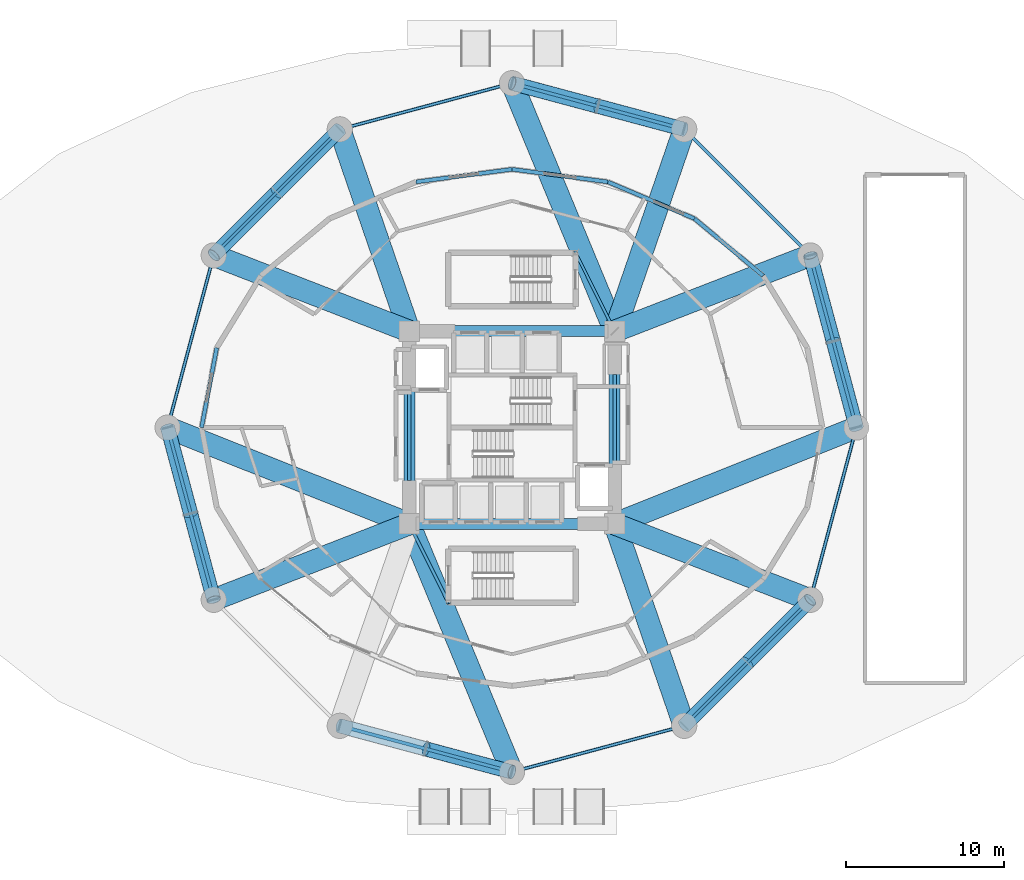
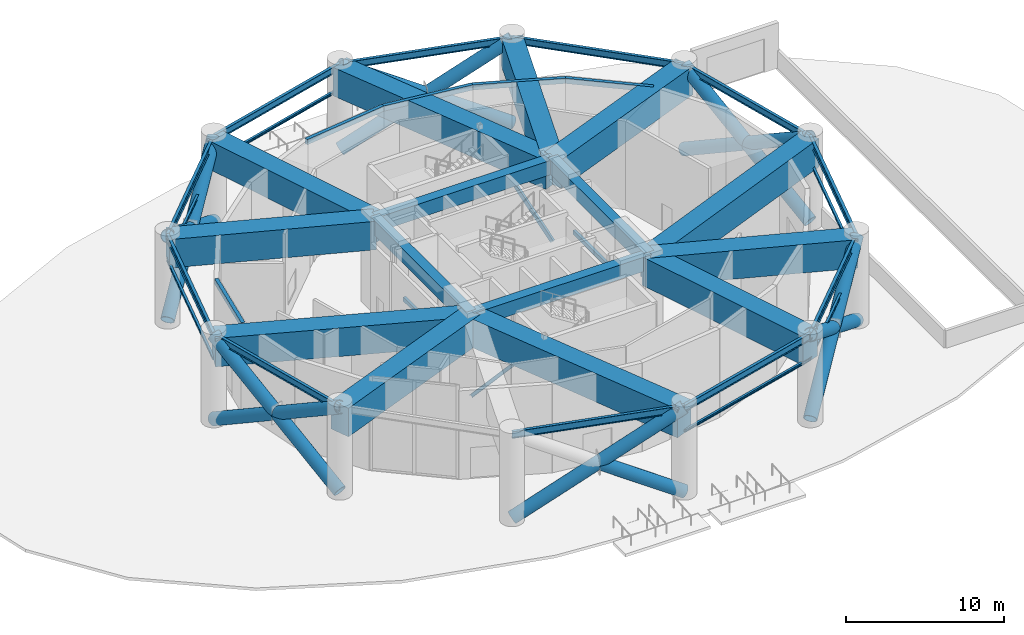
# One storey, part 5 of 16: 33 beams, 25 members.
"""IFC4 building model written with IfcOpenShell, lengths in metres."""

from ifc_helpers import new_model, si_unit, direction, frame, origin, origin_2d, place, context, subcontext, project, spatial, rectangle, hollow_rectangle, hollow_circle, i_section, extrude, material, material_profile, profile_set, type_object, element, save


model = new_model("IFC4")

# Units and contexts
model_context = context("Model", 3, precision=1e-05, world=origin(), true_north=direction((0.0, 1.0)))
body_context = subcontext(model_context, "Body", "Model", "MODEL_VIEW")
ifc_project = project(units=[si_unit("LENGTHUNIT", "METRE"), si_unit("AREAUNIT", "SQUARE_METRE"), si_unit("VOLUMEUNIT", "CUBIC_METRE"), si_unit("PLANEANGLEUNIT", "RADIAN"), si_unit("MASSUNIT", "GRAM", prefix="KILO")], contexts=[model_context])

# Site, building, storey
site_placement = place(None, origin())
site = spatial("IfcSite", under=ifc_project, at=site_placement, CompositionType="ELEMENT")
building_placement = place(site_placement, origin())
building = spatial("IfcBuilding", under=site, at=building_placement, Name="Solvirekh Grand Hotel", CompositionType="ELEMENT")
storey_placement = place(building_placement, origin())
storey = spatial("IfcBuildingStorey", under=building, at=storey_placement, Name="L00", CompositionType="ELEMENT", Elevation=0.0)

# Beams
ifc_material_1 = material(Name="Concrete C60/75", Category="concrete")
ifc_material_profile_1 = material_profile(ifc_material_1, rectangle(XDim=0.699951171875, YDim=1.10009765625, at=origin_2d()), Name="RC BEAM 700X1100")
ifc_profile_set_1 = profile_set([ifc_material_profile_1], Name="Concrete C60/75")
beam_type_1 = type_object("IfcBeamType", Name="Beam_Core_RC1100", PredefinedType="BEAM", material=ifc_profile_set_1)
beam_1_placement = place(storey_placement, frame((-6.5, -6.10009765625, 6.2900390625), z_axis=(1.0, 0.0, 0.0), x_axis=(0.0, 1.0, 0.0)))
element("IfcBeam", 1, at=beam_1_placement, inside=storey, type_object=beam_type_1, Name="L00 core coupling ring beam 1", PredefinedType="BEAM", context=body_context, shape_type="SweptSolid", body=[
    extrude(rectangle(XDim=0.699951171875, YDim=1.10009765625, at=origin_2d()), origin(), (0.0, 0.0, 1.0), 13.0),
])
beam_2_placement = place(storey_placement, frame((6.5, -6.10009765625, 6.2900390625), z_axis=(0.0, 1.0, 0.0), x_axis=(-1.0, 0.0, 0.0)))
element("IfcBeam", 2, at=beam_2_placement, inside=storey, type_object=beam_type_1, Name="L00 core coupling ring beam 2", PredefinedType="BEAM", context=body_context, shape_type="SweptSolid", body=[
    extrude(rectangle(XDim=0.699951171875, YDim=1.10009765625, at=origin_2d()), origin(), (0.0, 0.0, 1.0), 12.2001953125),
])
beam_3_placement = place(storey_placement, frame((6.5, 6.10009765625, 6.2900390625), z_axis=(-1.0, 0.0, 0.0), x_axis=(0.0, -1.0, 0.0)))
element("IfcBeam", 3, at=beam_3_placement, inside=storey, type_object=beam_type_1, Name="L00 core coupling ring beam 3", PredefinedType="BEAM", context=body_context, shape_type="SweptSolid", body=[
    extrude(rectangle(XDim=0.699951171875, YDim=1.10009765625, at=origin_2d()), origin(), (0.0, 0.0, 1.0), 13.0),
])
beam_4_placement = place(storey_placement, frame((-6.5, 6.10009765625, 6.2900390625), z_axis=(0.0, -1.0, 0.0), x_axis=(1.0, 0.0, 0.0)))
element("IfcBeam", 4, at=beam_4_placement, inside=storey, type_object=beam_type_1, Name="L00 core coupling ring beam 4", PredefinedType="BEAM", context=body_context, shape_type="SweptSolid", body=[
    extrude(rectangle(XDim=0.699951171875, YDim=1.10009765625, at=origin_2d()), origin(), (0.0, 0.0, 1.0), 12.2001953125),
])

# Members
ifc_material_2 = material(Name="Steel S460", Category="steel")
ifc_material_profile_2 = material_profile(ifc_material_2, hollow_circle(Radius=0.45703125, WallThickness=0.031982421875, at=origin_2d()), Name="CHS 914X32")
ifc_profile_set_2 = profile_set([ifc_material_profile_2], Name="Steel S460")
member_type_1 = type_object("IfcMemberType", Name="Brace_Stilt_CHS914", PredefinedType="BRACE", material=ifc_profile_set_2)
member_1_placement = place(storey_placement, frame((21.800048828125, 0.0, 0.14990234375), z_axis=(-0.224311440733, 0.836991941742, 0.499128106817), x_axis=(-0.965914248703, -0.258862249378, 0.0)))
element("IfcMember", 5, at=member_1_placement, inside=storey, type_object=member_type_1, Name="L00 Constructivist continuous X-brace diagonal 1A", PredefinedType="BRACE", context=body_context, shape_type="SweptSolid", body=[
    extrude(hollow_circle(Radius=0.45703125, WallThickness=0.031982421875, at=origin_2d()), origin(), (0.0, 0.0, 1.0), 13.022705078125),
])
member_2_placement = place(storey_placement, frame((18.87890625, 10.89990234375, 0.14990234375), z_axis=(0.224400458013, -0.836974339887, 0.499117610203), x_axis=(0.965887196303, 0.258963171163, 0.0)))
element("IfcMember", 6, at=member_2_placement, inside=storey, type_object=member_type_1, Name="L00 Constructivist split lower X-brace diagonal 1B1", PredefinedType="BRACE", context=body_context, shape_type="SweptSolid", body=[
    extrude(hollow_circle(Radius=0.45703125, WallThickness=0.031982421875, at=origin_2d()), origin(), (0.0, 0.0, 1.0), 6.511474609375),
])
member_3_placement = place(storey_placement, frame((20.340087890625, 5.449951171875, 3.39990234375), z_axis=(0.224222417837, -0.837009537354, 0.499138599707), x_axis=(0.965941292072, 0.258761319114, 0.0)))
element("IfcMember", 7, at=member_3_placement, inside=storey, type_object=member_type_1, Name="L00 Constructivist split upper X-brace diagonal 1B2", PredefinedType="BRACE", context=body_context, shape_type="SweptSolid", body=[
    extrude(hollow_circle(Radius=0.45703125, WallThickness=0.031982421875, at=origin_2d()), origin(), (0.0, 0.0, 1.0), 6.51123046875),
])
member_4_placement = place(storey_placement, frame((10.89990234375, 18.87890625, 0.14990234375), z_axis=(-0.836991941742, 0.224311440733, 0.499128106817), x_axis=(-0.258862249378, -0.965914248703, 0.0)))
element("IfcMember", 8, at=member_4_placement, inside=storey, type_object=member_type_1, Name="L00 Constructivist continuous X-brace diagonal 3A", PredefinedType="BRACE", context=body_context, shape_type="SweptSolid", body=[
    extrude(hollow_circle(Radius=0.45703125, WallThickness=0.031982421875, at=origin_2d()), origin(), (0.0, 0.0, 1.0), 13.022705078125),
])
member_5_placement = place(storey_placement, frame((0.0, 21.800048828125, 0.14990234375), z_axis=(0.837009537354, -0.224222417837, 0.499138599707), x_axis=(0.258761319114, 0.965941292072, 0.0)))
element("IfcMember", 9, at=member_5_placement, inside=storey, type_object=member_type_1, Name="L00 Constructivist split lower X-brace diagonal 3B1", PredefinedType="BRACE", context=body_context, shape_type="SweptSolid", body=[
    extrude(hollow_circle(Radius=0.45703125, WallThickness=0.031982421875, at=origin_2d()), origin(), (0.0, 0.0, 1.0), 6.51123046875),
])
member_6_placement = place(storey_placement, frame((5.449951171875, 20.340087890625, 3.39990234375), z_axis=(0.836974339887, -0.224400458013, 0.499117610203), x_axis=(0.258963171163, 0.965887196303, 0.0)))
element("IfcMember", 10, at=member_6_placement, inside=storey, type_object=member_type_1, Name="L00 Constructivist split upper X-brace diagonal 3B2", PredefinedType="BRACE", context=body_context, shape_type="SweptSolid", body=[
    extrude(hollow_circle(Radius=0.45703125, WallThickness=0.031982421875, at=origin_2d()), origin(), (0.0, 0.0, 1.0), 6.511474609375),
])
member_7_placement = place(storey_placement, frame((-10.89990234375, 18.87890625, 0.14990234375), z_axis=(-0.612720815, -0.612720815, 0.499145675863), x_axis=(0.707106781187, -0.707106781187, 0.0)))
element("IfcMember", 11, at=member_7_placement, inside=storey, type_object=member_type_1, Name="L00 Constructivist continuous X-brace diagonal 5A", PredefinedType="BRACE", context=body_context, shape_type="SweptSolid", body=[
    extrude(hollow_circle(Radius=0.45703125, WallThickness=0.031982421875, at=origin_2d()), origin(), (0.0, 0.0, 1.0), 13.022216796875),
])
for number, where, z_axis, x_axis, name in (
    (12, (-18.87890625, 10.89990234375, 0.14990234375), (0.612645819716, 0.612795803392, 0.499145673056), (-0.707193319771, 0.70702023201, 0.0), "L00 Constructivist split lower X-brace diagonal 5B1"),
    (13, (-14.889892578125, 14.889892578125, 3.39990234375), (0.612795803392, 0.612645819716, 0.499145673056), (-0.70702023201, 0.707193319771, 0.0), "L00 Constructivist split upper X-brace diagonal 5B2"),
):
    element("IfcMember", number, at=place(storey_placement, frame(where, z_axis=z_axis, x_axis=x_axis)), inside=storey, type_object=member_type_1, Name=name, PredefinedType="BRACE", context=body_context, shape_type="SweptSolid", body=[
        extrude(hollow_circle(Radius=0.45703125, WallThickness=0.031982421875, at=origin_2d()), origin(), (0.0, 0.0, 1.0), 6.51123046875),
    ])
member_8_placement = place(storey_placement, frame((-21.800048828125, 0.0, 0.14990234375), z_axis=(0.224311440733, -0.836991941742, 0.499128106817), x_axis=(0.965914248703, 0.258862249378, 0.0)))
element("IfcMember", 14, at=member_8_placement, inside=storey, type_object=member_type_1, Name="L00 Constructivist continuous X-brace diagonal 7A", PredefinedType="BRACE", context=body_context, shape_type="SweptSolid", body=[
    extrude(hollow_circle(Radius=0.45703125, WallThickness=0.031982421875, at=origin_2d()), origin(), (0.0, 0.0, 1.0), 13.022705078125),
])
member_9_placement = place(storey_placement, frame((-18.87890625, -10.89990234375, 0.14990234375), z_axis=(-0.224400458013, 0.836974339887, 0.499117610203), x_axis=(-0.965887196303, -0.258963171163, 0.0)))
element("IfcMember", 15, at=member_9_placement, inside=storey, type_object=member_type_1, Name="L00 Constructivist split lower X-brace diagonal 7B1", PredefinedType="BRACE", context=body_context, shape_type="SweptSolid", body=[
    extrude(hollow_circle(Radius=0.45703125, WallThickness=0.031982421875, at=origin_2d()), origin(), (0.0, 0.0, 1.0), 6.511474609375),
])
member_10_placement = place(storey_placement, frame((-20.340087890625, -5.449951171875, 3.39990234375), z_axis=(-0.224222417837, 0.837009537354, 0.499138599707), x_axis=(-0.965941292072, -0.258761319114, 0.0)))
element("IfcMember", 16, at=member_10_placement, inside=storey, type_object=member_type_1, Name="L00 Constructivist split upper X-brace diagonal 7B2", PredefinedType="BRACE", context=body_context, shape_type="SweptSolid", body=[
    extrude(hollow_circle(Radius=0.45703125, WallThickness=0.031982421875, at=origin_2d()), origin(), (0.0, 0.0, 1.0), 6.51123046875),
])
member_11_placement = place(storey_placement, frame((-10.89990234375, -18.87890625, 0.14990234375), z_axis=(0.836991941742, -0.224311440733, 0.499128106817), x_axis=(0.258862249378, 0.965914248703, 0.0)))
element("IfcMember", 17, at=member_11_placement, inside=storey, type_object=member_type_1, Name="L00 Constructivist continuous X-brace diagonal 9A", PredefinedType="BRACE", context=body_context, shape_type="SweptSolid", body=[
    extrude(hollow_circle(Radius=0.45703125, WallThickness=0.031982421875, at=origin_2d()), origin(), (0.0, 0.0, 1.0), 13.022705078125),
])
member_12_placement = place(storey_placement, frame((0.0, -21.800048828125, 0.14990234375), z_axis=(-0.837009537354, 0.224222417837, 0.499138599707), x_axis=(-0.258761319114, -0.965941292072, 0.0)))
element("IfcMember", 18, at=member_12_placement, inside=storey, type_object=member_type_1, Name="L00 Constructivist split lower X-brace diagonal 9B1", PredefinedType="BRACE", context=body_context, shape_type="SweptSolid", body=[
    extrude(hollow_circle(Radius=0.45703125, WallThickness=0.031982421875, at=origin_2d()), origin(), (0.0, 0.0, 1.0), 6.51123046875),
])
member_13_placement = place(storey_placement, frame((10.89990234375, -18.87890625, 0.14990234375), z_axis=(0.612720815, 0.612720815, 0.499145675863), x_axis=(-0.707106781187, 0.707106781187, 0.0)))
element("IfcMember", 19, at=member_13_placement, inside=storey, type_object=member_type_1, Name="L00 Constructivist continuous X-brace diagonal 11A", PredefinedType="BRACE", context=body_context, shape_type="SweptSolid", body=[
    extrude(hollow_circle(Radius=0.45703125, WallThickness=0.031982421875, at=origin_2d()), origin(), (0.0, 0.0, 1.0), 13.022216796875),
])
for number, where, z_axis, x_axis, name in (
    (20, (18.87890625, -10.89990234375, 0.14990234375), (-0.612645819716, -0.612795803392, 0.499145673056), (0.707193319771, -0.70702023201, 0.0), "L00 Constructivist split lower X-brace diagonal 11B1"),
    (21, (14.889892578125, -14.889892578125, 3.39990234375), (-0.612795803392, -0.612645819716, 0.499145673056), (0.70702023201, -0.707193319771, 0.0), "L00 Constructivist split upper X-brace diagonal 11B2"),
):
    element("IfcMember", number, at=place(storey_placement, frame(where, z_axis=z_axis, x_axis=x_axis)), inside=storey, type_object=member_type_1, Name=name, PredefinedType="BRACE", context=body_context, shape_type="SweptSolid", body=[
        extrude(hollow_circle(Radius=0.45703125, WallThickness=0.031982421875, at=origin_2d()), origin(), (0.0, 0.0, 1.0), 6.51123046875),
    ])

# Beams
ifc_material_3 = material(Name="Precast concrete C45/55", Category="concrete")
ifc_material_profile_3 = material_profile(ifc_material_3, rectangle(XDim=0.199951171875, YDim=0.320068359375, at=origin_2d()), Name="RC LINTEL 200X320")
ifc_profile_set_3 = profile_set([ifc_material_profile_3], Name="Precast concrete C45/55")
beam_type_2 = type_object("IfcBeamType", Name="Lintel_RC320", PredefinedType="LINTEL", material=ifc_profile_set_3)
for number, where, z_axis, x_axis, name in (
    (22, (-6.5, -3.35009765625, 2.64990234375), (0.0, 1.0, 0.0), (-1.0, 0.0, 0.0), "L00 west core lobby RC lintel"),
    (23, (6.5, -2.35009765625, 2.64990234375), (0.0, 1.0, 0.0), (-1.0, 0.0, 0.0), "L00 east core lobby RC lintel"),
):
    element("IfcBeam", number, at=place(storey_placement, frame(where, z_axis=z_axis, x_axis=x_axis)), inside=storey, type_object=beam_type_2, Name=name, PredefinedType="LINTEL", context=body_context, shape_type="SweptSolid", body=[
        extrude(rectangle(XDim=0.199951171875, YDim=0.320068359375, at=origin_2d()), origin(), (0.0, 0.0, 1.0), 5.7001953125),
    ])
ifc_material_profile_4 = material_profile(ifc_material_3, rectangle(XDim=0.25, YDim=0.39990234375, at=origin_2d()), Name="RC LINTEL 250X400")
ifc_profile_set_4 = profile_set([ifc_material_profile_4], Name="Precast concrete C45/55")
beam_type_3 = type_object("IfcBeamType", Name="Lintel_RC400", PredefinedType="LINTEL", material=ifc_profile_set_4)
beam_5_placement = place(storey_placement, frame((11.550048828125, 13.22705078125, 6.639892578125), z_axis=(0.768698801906, -0.639610937952, 0.0), x_axis=(0.639610937952, 0.768698801906, 0.0)))
element("IfcBeam", 24, at=beam_5_placement, inside=storey, type_object=beam_type_3, Name="L00 exterior lobby portal precast lintel 1", PredefinedType="LINTEL", context=body_context, shape_type="SweptSolid", body=[
    extrude(rectangle(XDim=0.25, YDim=0.39990234375, at=origin_2d()), origin(), (0.0, 0.0, 1.0), 5.655029296875),
])
beam_6_placement = place(storey_placement, frame((6.072021484375, 15.550048828125, 6.639892578125), z_axis=(0.920643013012, -0.390405484839, 0.0), x_axis=(0.390405484839, 0.920643013012, 0.0)))
element("IfcBeam", 25, at=beam_6_placement, inside=storey, type_object=beam_type_3, Name="L00 exterior lobby portal precast lintel 2", PredefinedType="LINTEL", context=body_context, shape_type="SweptSolid", body=[
    extrude(rectangle(XDim=0.25, YDim=0.39990234375, at=origin_2d()), origin(), (0.0, 0.0, 1.0), 5.9501953125),
])
for number, where, z_axis, x_axis, name in (
    (26, (0.0, 16.35009765625, 6.639892578125), (0.991431078494, -0.130630840908, 0.0), (0.130630840908, 0.991431078494, 0.0), "L00 exterior lobby portal precast lintel 3"),
    (27, (-6.072021484375, 15.550048828125, 6.639892578125), (0.991431078494, 0.130630840908, 0.0), (-0.130630840908, 0.991431078494, 0.0), "L00 exterior lobby portal precast lintel 4"),
):
    element("IfcBeam", number, at=place(storey_placement, frame(where, z_axis=z_axis, x_axis=x_axis)), inside=storey, type_object=beam_type_3, Name=name, PredefinedType="LINTEL", context=body_context, shape_type="SweptSolid", body=[
        extrude(rectangle(XDim=0.25, YDim=0.39990234375, at=origin_2d()), origin(), (0.0, 0.0, 1.0), 6.12451171875),
    ])
beam_7_placement = place(storey_placement, frame((-19.64990234375, 0.0, 6.639892578125), z_axis=(0.187042300785, 0.982351860444, 0.0), x_axis=(-0.982351860444, 0.187042300785, 0.0)))
element("IfcBeam", 28, at=beam_7_placement, inside=storey, type_object=beam_type_3, Name="L00 exterior lobby portal precast lintel 5", PredefinedType="LINTEL", context=body_context, shape_type="SweptSolid", body=[
    extrude(rectangle(XDim=0.25, YDim=0.39990234375, at=origin_2d()), origin(), (0.0, 0.0, 1.0), 5.142822265625),
])

# Members
ifc_material_4 = material(Name="Steel S355", Category="steel")
ifc_material_profile_5 = material_profile(ifc_material_4, i_section(OverallWidth=0.1650390625, OverallDepth=0.200927734375, WebThickness=0.006103515625, FlangeThickness=0.010009765625, FilletRadius=0.009033203125, at=origin_2d()), Name="W200X36")
ifc_profile_set_5 = profile_set([ifc_material_profile_5], Name="Steel S355")
member_type_2 = type_object("IfcMemberType", Name="Purlin_Canopy_W200", PredefinedType="PURLIN", material=ifc_profile_set_5)
member_14_placement = place(storey_placement, frame((0.0, 21.800048828125, 4.800048828125), z_axis=(-0.965914248703, -0.258862249378, 0.0), x_axis=(0.258862249378, -0.965914248703, 0.0)))
element("IfcMember", 29, at=member_14_placement, inside=storey, type_object=member_type_2, Name="L00 entrance canopy steel purlin 1", PredefinedType="PURLIN", context=body_context, shape_type="SweptSolid", body=[
    extrude(i_section(OverallWidth=0.1650390625, OverallDepth=0.200927734375, WebThickness=0.006103515625, FlangeThickness=0.010009765625, FilletRadius=0.009033203125, at=origin_2d()), origin(), (0.0, 0.0, 1.0), 11.284423828125),
])
member_15_placement = place(storey_placement, frame((-10.89990234375, 18.87890625, 4.800048828125), z_axis=(-0.707106781187, -0.707106781187, 0.0), x_axis=(0.707106781187, -0.707106781187, 0.0)))
element("IfcMember", 30, at=member_15_placement, inside=storey, type_object=member_type_2, Name="L00 entrance canopy steel purlin 2", PredefinedType="PURLIN", context=body_context, shape_type="SweptSolid", body=[
    extrude(i_section(OverallWidth=0.1650390625, OverallDepth=0.200927734375, WebThickness=0.006103515625, FlangeThickness=0.010009765625, FilletRadius=0.009033203125, at=origin_2d()), origin(), (0.0, 0.0, 1.0), 11.283935546875),
])
for number, where, z_axis, x_axis, name in (
    (31, (-18.87890625, 10.89990234375, 4.800048828125), (-0.258862249378, -0.965914248703, 0.0), (0.965914248703, -0.258862249378, 0.0), "L00 entrance canopy steel purlin 3"),
    (32, (0.0, -21.800048828125, 4.800048828125), (0.965914248703, 0.258862249378, 0.0), (-0.258862249378, 0.965914248703, 0.0), "L00 entrance canopy steel purlin 4"),
):
    element("IfcMember", number, at=place(storey_placement, frame(where, z_axis=z_axis, x_axis=x_axis)), inside=storey, type_object=member_type_2, Name=name, PredefinedType="PURLIN", context=body_context, shape_type="SweptSolid", body=[
        extrude(i_section(OverallWidth=0.1650390625, OverallDepth=0.200927734375, WebThickness=0.006103515625, FlangeThickness=0.010009765625, FilletRadius=0.009033203125, at=origin_2d()), origin(), (0.0, 0.0, 1.0), 11.284423828125),
    ])
member_16_placement = place(storey_placement, frame((10.89990234375, -18.87890625, 4.800048828125), z_axis=(0.707106781187, 0.707106781187, 0.0), x_axis=(-0.707106781187, 0.707106781187, 0.0)))
element("IfcMember", 33, at=member_16_placement, inside=storey, type_object=member_type_2, Name="L00 entrance canopy steel purlin 5", PredefinedType="PURLIN", context=body_context, shape_type="SweptSolid", body=[
    extrude(i_section(OverallWidth=0.1650390625, OverallDepth=0.200927734375, WebThickness=0.006103515625, FlangeThickness=0.010009765625, FilletRadius=0.009033203125, at=origin_2d()), origin(), (0.0, 0.0, 1.0), 11.283935546875),
])
member_17_placement = place(storey_placement, frame((18.87890625, -10.89990234375, 4.800048828125), z_axis=(0.258862249378, 0.965914248703, 0.0), x_axis=(-0.965914248703, 0.258862249378, 0.0)))
element("IfcMember", 34, at=member_17_placement, inside=storey, type_object=member_type_2, Name="L00 entrance canopy steel purlin 6", PredefinedType="PURLIN", context=body_context, shape_type="SweptSolid", body=[
    extrude(i_section(OverallWidth=0.1650390625, OverallDepth=0.200927734375, WebThickness=0.006103515625, FlangeThickness=0.010009765625, FilletRadius=0.009033203125, at=origin_2d()), origin(), (0.0, 0.0, 1.0), 11.284423828125),
])

# Beams
ifc_material_profile_6 = material_profile(ifc_material_4, i_section(OverallWidth=0.208984375, OverallDepth=0.532958984375, WebThickness=0.010009765625, FlangeThickness=0.014892578125, FilletRadius=0.013916015625, at=origin_2d()), Name="W530X92")
ifc_profile_set_6 = profile_set([ifc_material_profile_6], Name="Steel S355")
beam_type_4 = type_object("IfcBeamType", Name="Spandrel_Ring_W530", PredefinedType="SPANDREL", material=ifc_profile_set_6)
beam_8_placement = place(storey_placement, frame((21.800048828125, 0.0, 6.573974609375), z_axis=(-0.258862249378, 0.965914248703, 0.0), x_axis=(-0.965914248703, -0.258862249378, 0.0)))
element("IfcBeam", 35, at=beam_8_placement, inside=storey, type_object=beam_type_4, Name="L00 perimeter spandrel beam 1", PredefinedType="SPANDREL", context=body_context, shape_type="SweptSolid", body=[
    extrude(i_section(OverallWidth=0.208984375, OverallDepth=0.532958984375, WebThickness=0.010009765625, FlangeThickness=0.014892578125, FilletRadius=0.013916015625, at=origin_2d()), origin(), (0.0, 0.0, 1.0), 11.284423828125),
])
beam_9_placement = place(storey_placement, frame((18.87890625, 10.89990234375, 6.573974609375), z_axis=(-0.707106781187, 0.707106781187, 0.0), x_axis=(-0.707106781187, -0.707106781187, 0.0)))
element("IfcBeam", 36, at=beam_9_placement, inside=storey, type_object=beam_type_4, Name="L00 perimeter spandrel beam 2", PredefinedType="SPANDREL", context=body_context, shape_type="SweptSolid", body=[
    extrude(i_section(OverallWidth=0.208984375, OverallDepth=0.532958984375, WebThickness=0.010009765625, FlangeThickness=0.014892578125, FilletRadius=0.013916015625, at=origin_2d()), origin(), (0.0, 0.0, 1.0), 11.283935546875),
])
for number, where, z_axis, x_axis, name in (
    (37, (10.89990234375, 18.87890625, 6.573974609375), (-0.965914248703, 0.258862249378, 0.0), (-0.258862249378, -0.965914248703, 0.0), "L00 perimeter spandrel beam 3"),
    (38, (0.0, 21.800048828125, 6.573974609375), (-0.965914248703, -0.258862249378, 0.0), (0.258862249378, -0.965914248703, 0.0), "L00 perimeter spandrel beam 4"),
):
    element("IfcBeam", number, at=place(storey_placement, frame(where, z_axis=z_axis, x_axis=x_axis)), inside=storey, type_object=beam_type_4, Name=name, PredefinedType="SPANDREL", context=body_context, shape_type="SweptSolid", body=[
        extrude(i_section(OverallWidth=0.208984375, OverallDepth=0.532958984375, WebThickness=0.010009765625, FlangeThickness=0.014892578125, FilletRadius=0.013916015625, at=origin_2d()), origin(), (0.0, 0.0, 1.0), 11.284423828125),
    ])
beam_10_placement = place(storey_placement, frame((-10.89990234375, 18.87890625, 6.573974609375), z_axis=(-0.707106781187, -0.707106781187, 0.0), x_axis=(0.707106781187, -0.707106781187, 0.0)))
element("IfcBeam", 39, at=beam_10_placement, inside=storey, type_object=beam_type_4, Name="L00 perimeter spandrel beam 5", PredefinedType="SPANDREL", context=body_context, shape_type="SweptSolid", body=[
    extrude(i_section(OverallWidth=0.208984375, OverallDepth=0.532958984375, WebThickness=0.010009765625, FlangeThickness=0.014892578125, FilletRadius=0.013916015625, at=origin_2d()), origin(), (0.0, 0.0, 1.0), 11.283935546875),
])
for number, where, z_axis, x_axis, name in (
    (40, (-18.87890625, 10.89990234375, 6.573974609375), (-0.258862249378, -0.965914248703, 0.0), (0.965914248703, -0.258862249378, 0.0), "L00 perimeter spandrel beam 6"),
    (41, (-21.800048828125, 0.0, 6.573974609375), (0.258862249378, -0.965914248703, 0.0), (0.965914248703, 0.258862249378, 0.0), "L00 perimeter spandrel beam 7"),
    (42, (-10.89990234375, -18.87890625, 6.573974609375), (0.965914248703, -0.258862249378, 0.0), (0.258862249378, 0.965914248703, 0.0), "L00 perimeter spandrel beam 9"),
    (43, (0.0, -21.800048828125, 6.573974609375), (0.965914248703, 0.258862249378, 0.0), (-0.258862249378, 0.965914248703, 0.0), "L00 perimeter spandrel beam 10"),
):
    element("IfcBeam", number, at=place(storey_placement, frame(where, z_axis=z_axis, x_axis=x_axis)), inside=storey, type_object=beam_type_4, Name=name, PredefinedType="SPANDREL", context=body_context, shape_type="SweptSolid", body=[
        extrude(i_section(OverallWidth=0.208984375, OverallDepth=0.532958984375, WebThickness=0.010009765625, FlangeThickness=0.014892578125, FilletRadius=0.013916015625, at=origin_2d()), origin(), (0.0, 0.0, 1.0), 11.284423828125),
    ])
beam_11_placement = place(storey_placement, frame((10.89990234375, -18.87890625, 6.573974609375), z_axis=(0.707106781187, 0.707106781187, 0.0), x_axis=(-0.707106781187, 0.707106781187, 0.0)))
element("IfcBeam", 44, at=beam_11_placement, inside=storey, type_object=beam_type_4, Name="L00 perimeter spandrel beam 11", PredefinedType="SPANDREL", context=body_context, shape_type="SweptSolid", body=[
    extrude(i_section(OverallWidth=0.208984375, OverallDepth=0.532958984375, WebThickness=0.010009765625, FlangeThickness=0.014892578125, FilletRadius=0.013916015625, at=origin_2d()), origin(), (0.0, 0.0, 1.0), 11.283935546875),
])
beam_12_placement = place(storey_placement, frame((18.87890625, -10.89990234375, 6.573974609375), z_axis=(0.258862249378, 0.965914248703, 0.0), x_axis=(-0.965914248703, 0.258862249378, 0.0)))
element("IfcBeam", 45, at=beam_12_placement, inside=storey, type_object=beam_type_4, Name="L00 perimeter spandrel beam 12", PredefinedType="SPANDREL", context=body_context, shape_type="SweptSolid", body=[
    extrude(i_section(OverallWidth=0.208984375, OverallDepth=0.532958984375, WebThickness=0.010009765625, FlangeThickness=0.014892578125, FilletRadius=0.013916015625, at=origin_2d()), origin(), (0.0, 0.0, 1.0), 11.284423828125),
])

# Members
ifc_material_profile_7 = material_profile(ifc_material_4, i_section(OverallWidth=0.201904296875, OverallDepth=0.2470703125, WebThickness=0.007080078125, FlangeThickness=0.010986328125, FilletRadius=0.010009765625, at=origin_2d()), Name="W250X49")
ifc_profile_set_7 = profile_set([ifc_material_profile_7], Name="Steel S355")
member_type_3 = type_object("IfcMemberType", Name="Stringer_Feature_W250", PredefinedType="STRINGER", material=ifc_profile_set_7)
member_18_placement = place(storey_placement, frame((-6.5, -6.10009765625, 0.25), z_axis=(0.29202984329, -0.586969038936, 0.755106560665), x_axis=(0.895312965643, 0.445437642719, 0.0)))
element("IfcMember", 46, at=member_18_placement, inside=storey, type_object=member_type_3, Name="L00 podium stair ST-3 steel stringer", PredefinedType="STRINGER", context=body_context, shape_type="SweptSolid", body=[
    extrude(i_section(OverallWidth=0.201904296875, OverallDepth=0.2470703125, WebThickness=0.007080078125, FlangeThickness=0.010986328125, FilletRadius=0.010009765625, at=origin_2d()), origin(), (0.0, 0.0, 1.0), 8.4755859375),
])
ifc_material_profile_8 = material_profile(ifc_material_4, hollow_rectangle(XDim=0.179931640625, YDim=0.300048828125, WallThickness=0.011962890625, at=origin_2d()), Name="RHS 300X180X12")
ifc_profile_set_8 = profile_set([ifc_material_profile_8], Name="Steel S355")
member_type_4 = type_object("IfcMemberType", Name="Stringer_Stair_RHS300", PredefinedType="STRINGER", material=ifc_profile_set_8)
member_19_placement = place(storey_placement, frame((6.5, 6.10009765625, 0.25), z_axis=(-0.29202984329, 0.586969038936, 0.755106560665), x_axis=(-0.895312965643, -0.445437642719, 0.0)))
element("IfcMember", 47, at=member_19_placement, inside=storey, type_object=member_type_4, Name="L00 feature stair ST-4 steel stringer", PredefinedType="STRINGER", context=body_context, shape_type="SweptSolid", body=[
    extrude(hollow_rectangle(XDim=0.179931640625, YDim=0.300048828125, WallThickness=0.011962890625, at=origin_2d()), origin(), (0.0, 0.0, 1.0), 8.4755859375),
])

# Beams
ifc_material_profile_9 = material_profile(ifc_material_1, rectangle(XDim=1.39990234375, YDim=2.199951171875, at=origin_2d()), Name="RC GIRDER 1400X2200")
ifc_profile_set_9 = profile_set([ifc_material_profile_9], Name="Concrete C60/75")
beam_type_5 = type_object("IfcBeamType", Name="TransferGirder_RC2200", PredefinedType="USERDEFINED", material=ifc_profile_set_9)
beam_13_placement = place(storey_placement, frame((6.5, -6.10009765625, 5.739990234375), z_axis=(0.9288931718, 0.370347776263, 0.0), x_axis=(-0.370347776263, 0.9288931718, 0.0)))
element("IfcBeam", 48, at=beam_13_placement, inside=storey, type_object=beam_type_5, Name="L00 radial transfer girder 1", ObjectType="TRANSFER GIRDER", PredefinedType="USERDEFINED", context=body_context, shape_type="SweptSolid", body=[
    extrude(rectangle(XDim=1.39990234375, YDim=2.199951171875, at=origin_2d()), origin(), (0.0, 0.0, 1.0), 16.47119140625),
])
beam_14_placement = place(storey_placement, frame((6.5, 6.10009765625, 5.739990234375), z_axis=(0.932365862704, 0.361516110381, 0.0), x_axis=(-0.361516110381, 0.932365862704, 0.0)))
element("IfcBeam", 49, at=beam_14_placement, inside=storey, type_object=beam_type_5, Name="L00 radial transfer girder 2", ObjectType="TRANSFER GIRDER", PredefinedType="USERDEFINED", context=body_context, shape_type="SweptSolid", body=[
    extrude(rectangle(XDim=1.39990234375, YDim=2.199951171875, at=origin_2d()), origin(), (0.0, 0.0, 1.0), 13.27685546875),
])
beam_15_placement = place(storey_placement, frame((6.5, 6.10009765625, 5.739990234375), z_axis=(0.325555300394, 0.94552300151, 0.0), x_axis=(-0.94552300151, 0.325555300394, 0.0)))
element("IfcBeam", 50, at=beam_15_placement, inside=storey, type_object=beam_type_5, Name="L00 radial transfer girder 3", ObjectType="TRANSFER GIRDER", PredefinedType="USERDEFINED", context=body_context, shape_type="SweptSolid", body=[
    extrude(rectangle(XDim=1.39990234375, YDim=2.199951171875, at=origin_2d()), origin(), (0.0, 0.0, 1.0), 13.51513671875),
])
beam_16_placement = place(storey_placement, frame((6.5, 6.10009765625, 5.739990234375), z_axis=(-0.382526065589, 0.923944700264, 0.0), x_axis=(-0.923944700264, -0.382526065589, 0.0)))
element("IfcBeam", 51, at=beam_16_placement, inside=storey, type_object=beam_type_5, Name="L00 radial transfer girder 4", ObjectType="TRANSFER GIRDER", PredefinedType="USERDEFINED", context=body_context, shape_type="SweptSolid", body=[
    extrude(rectangle(XDim=1.39990234375, YDim=2.199951171875, at=origin_2d()), origin(), (0.0, 0.0, 1.0), 16.9921875),
])
beam_17_placement = place(storey_placement, frame((-6.5, 6.10009765625, 5.739990234375), z_axis=(-0.325555300394, 0.94552300151, 0.0), x_axis=(-0.94552300151, -0.325555300394, 0.0)))
element("IfcBeam", 52, at=beam_17_placement, inside=storey, type_object=beam_type_5, Name="L00 radial transfer girder 5", ObjectType="TRANSFER GIRDER", PredefinedType="USERDEFINED", context=body_context, shape_type="SweptSolid", body=[
    extrude(rectangle(XDim=1.39990234375, YDim=2.199951171875, at=origin_2d()), origin(), (0.0, 0.0, 1.0), 13.51513671875),
])
beam_18_placement = place(storey_placement, frame((-6.5, 6.10009765625, 5.739990234375), z_axis=(-0.932365862704, 0.361516110381, 0.0), x_axis=(-0.361516110381, -0.932365862704, 0.0)))
element("IfcBeam", 53, at=beam_18_placement, inside=storey, type_object=beam_type_5, Name="L00 radial transfer girder 6", ObjectType="TRANSFER GIRDER", PredefinedType="USERDEFINED", context=body_context, shape_type="SweptSolid", body=[
    extrude(rectangle(XDim=1.39990234375, YDim=2.199951171875, at=origin_2d()), origin(), (0.0, 0.0, 1.0), 13.27685546875),
])
beam_19_placement = place(storey_placement, frame((-6.5, -6.10009765625, 5.739990234375), z_axis=(-0.9288931718, 0.370347776263, 0.0), x_axis=(-0.370347776263, -0.9288931718, 0.0)))
element("IfcBeam", 54, at=beam_19_placement, inside=storey, type_object=beam_type_5, Name="L00 radial transfer girder 7", ObjectType="TRANSFER GIRDER", PredefinedType="USERDEFINED", context=body_context, shape_type="SweptSolid", body=[
    extrude(rectangle(XDim=1.39990234375, YDim=2.199951171875, at=origin_2d()), origin(), (0.0, 0.0, 1.0), 16.47119140625),
])
beam_20_placement = place(storey_placement, frame((-6.5, -6.10009765625, 5.739990234375), z_axis=(-0.932365862704, -0.361516110381, 0.0), x_axis=(0.361516110381, -0.932365862704, 0.0)))
element("IfcBeam", 55, at=beam_20_placement, inside=storey, type_object=beam_type_5, Name="L00 radial transfer girder 8", ObjectType="TRANSFER GIRDER", PredefinedType="USERDEFINED", context=body_context, shape_type="SweptSolid", body=[
    extrude(rectangle(XDim=1.39990234375, YDim=2.199951171875, at=origin_2d()), origin(), (0.0, 0.0, 1.0), 13.27685546875),
])
beam_21_placement = place(storey_placement, frame((-6.5, -6.10009765625, 5.739990234375), z_axis=(0.382526065589, -0.923944700264, 0.0), x_axis=(0.923944700264, 0.382526065589, 0.0)))
element("IfcBeam", 56, at=beam_21_placement, inside=storey, type_object=beam_type_5, Name="L00 radial transfer girder 10", ObjectType="TRANSFER GIRDER", PredefinedType="USERDEFINED", context=body_context, shape_type="SweptSolid", body=[
    extrude(rectangle(XDim=1.39990234375, YDim=2.199951171875, at=origin_2d()), origin(), (0.0, 0.0, 1.0), 16.9921875),
])
beam_22_placement = place(storey_placement, frame((6.5, -6.10009765625, 5.739990234375), z_axis=(0.325555300394, -0.94552300151, 0.0), x_axis=(0.94552300151, 0.325555300394, 0.0)))
element("IfcBeam", 57, at=beam_22_placement, inside=storey, type_object=beam_type_5, Name="L00 radial transfer girder 11", ObjectType="TRANSFER GIRDER", PredefinedType="USERDEFINED", context=body_context, shape_type="SweptSolid", body=[
    extrude(rectangle(XDim=1.39990234375, YDim=2.199951171875, at=origin_2d()), origin(), (0.0, 0.0, 1.0), 13.51513671875),
])
beam_23_placement = place(storey_placement, frame((6.5, -6.10009765625, 5.739990234375), z_axis=(0.932365862704, -0.361516110381, 0.0), x_axis=(0.361516110381, 0.932365862704, 0.0)))
element("IfcBeam", 58, at=beam_23_placement, inside=storey, type_object=beam_type_5, Name="L00 radial transfer girder 12", ObjectType="TRANSFER GIRDER", PredefinedType="USERDEFINED", context=body_context, shape_type="SweptSolid", body=[
    extrude(rectangle(XDim=1.39990234375, YDim=2.199951171875, at=origin_2d()), origin(), (0.0, 0.0, 1.0), 13.27685546875),
])

save(model, "model.ifc")
